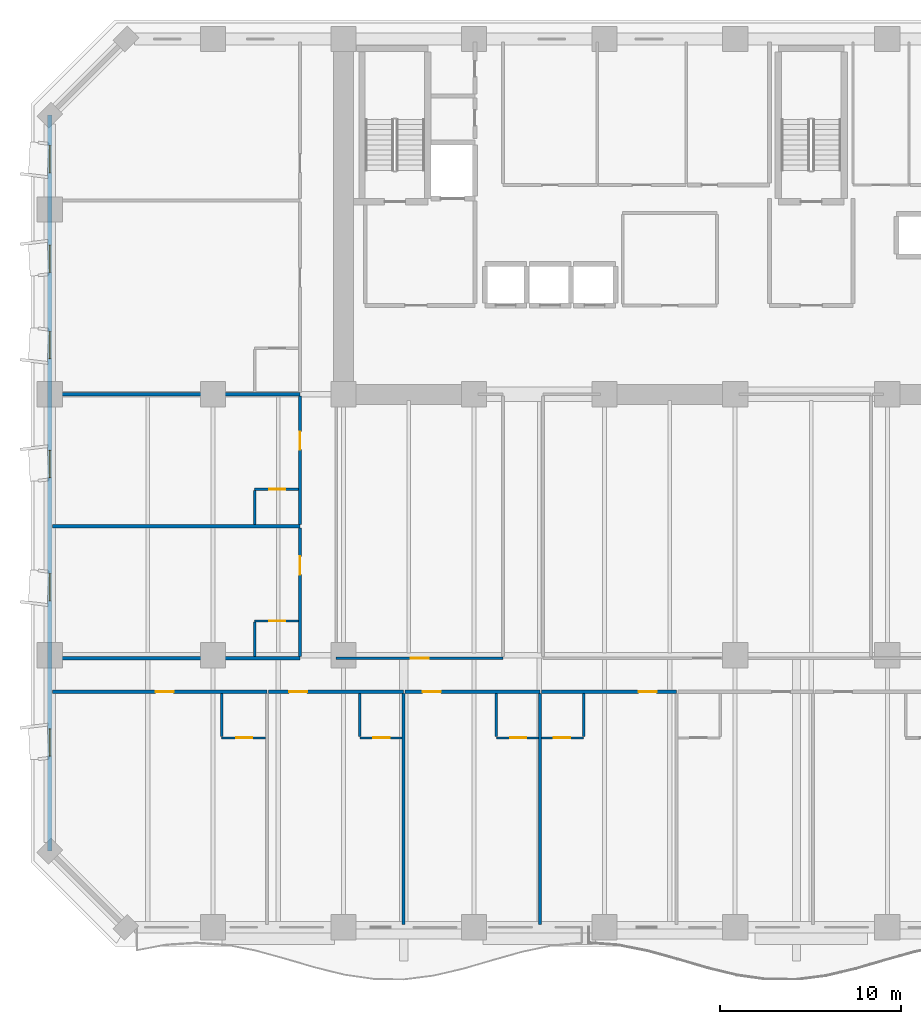
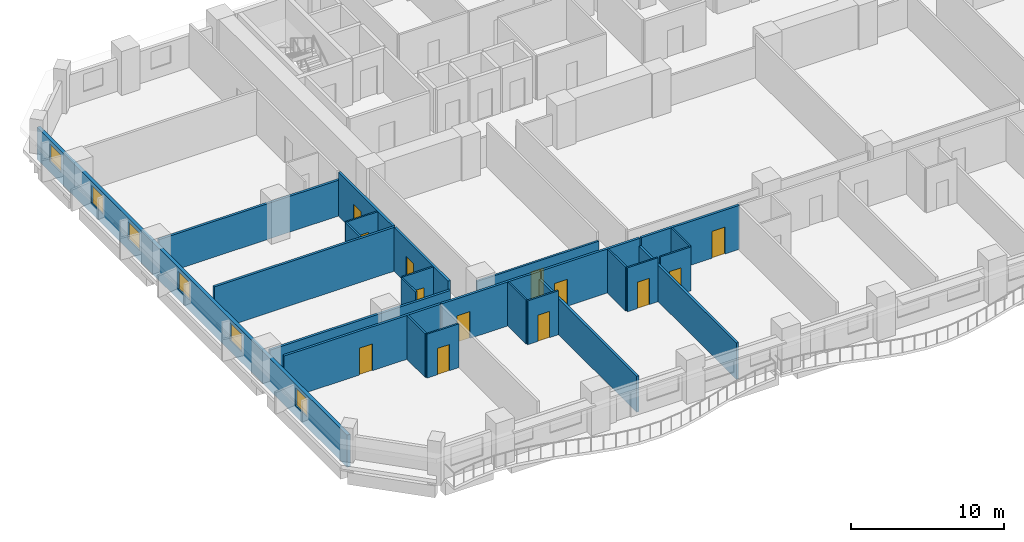
# One storey, part 4 of 15: 25 walls, 13 doors, 6 windows, 19 openings.
"""IFC4 building model written with IfcOpenShell, lengths in metres."""

from ifc_helpers import new_model, si_unit, direction, frame, frame_2d, origin, place, context, subcontext, project, spatial, rectangle, extrude, material, layer, layer_set, type_object, element, fill, save


model = new_model("IFC4")

# Units and contexts
model_context = context("Model", 3, precision=1e-05, world=origin(), true_north=direction((0.0, 1.0)))
body_context = subcontext(model_context, "Body", "Model", "MODEL_VIEW")
ifc_project = project(units=[si_unit("LENGTHUNIT", "METRE"), si_unit("AREAUNIT", "SQUARE_METRE"), si_unit("VOLUMEUNIT", "CUBIC_METRE"), si_unit("PLANEANGLEUNIT", "RADIAN"), si_unit("MASSUNIT", "GRAM", prefix="KILO")], contexts=[model_context])

# Site, building, storey
site_placement = place(None, origin())
site = spatial("IfcSite", under=ifc_project, at=site_placement, CompositionType="ELEMENT")
building_placement = place(site_placement, origin())
building = spatial("IfcBuilding", under=site, at=building_placement, Name="Kaelvorn Grand Hotel", CompositionType="ELEMENT")
storey_placement = place(building_placement, frame((0.0, 0.0, 61.39990234375)))
storey = spatial("IfcBuildingStorey", under=building, at=storey_placement, Name="L13", CompositionType="ELEMENT", Elevation=61.39990234375)

# Wall, openings, windows
ifc_material_1 = material(Name="Concrete C40/50", Category="concrete")
ifc_layer_1 = layer(ifc_material_1, 0.260009765625)
ifc_layer_set_1 = layer_set([ifc_layer_1], Name="Concrete C40/50")
wall_type_1 = type_object("IfcWallType", Name="WL-EXT-260-C40", PredefinedType="SOLIDWALL", material=ifc_layer_set_1)
wall_1_placement = place(storey_placement, frame((0.0, 44.800048828125, 0.0), z_axis=(0.0, 0.0, 1.0), x_axis=(0.0, -1.0, 0.0)))
wall_1 = element("IfcWall", 1, at=wall_1_placement, inside=storey, type_object=wall_type_1, Name="L13 Exterior Architectural Concrete Wall 07", PredefinedType="SOLIDWALL", context=body_context, shape_type="SweptSolid", body=[
    extrude(rectangle(XDim=40.60009765625, YDim=0.260009765625, at=frame_2d((20.300048828125, 0.0))), origin(), (0.0, 0.0, 1.0), 2.56005859375),
])
opening_1_placement = place(wall_1_placement, frame((33.85009765625, 0.0, 0.85009765625)))
opening_1 = element("IfcOpeningElement", 2, at=opening_1_placement, cuts=wall_1, Name="Opening W10", PredefinedType="OPENING", context=body_context, shape_type="SweptSolid", body=[
    extrude(rectangle(XDim=1.5, YDim=1.39990234375, at=frame_2d((0.75, 0.699951171875))), frame((0.0, 0.14013671875, 0.0), z_axis=(0.0, -1.0, 0.0), x_axis=(1.0, 0.0, 0.0)), (0.0, 0.0, 1.0), 0.280029296875),
])
opening_2_placement = place(wall_1_placement, frame((25.2900390625, 0.0, 0.85009765625)))
opening_2 = element("IfcOpeningElement", 3, at=opening_2_placement, cuts=wall_1, Name="Opening W10", PredefinedType="OPENING", context=body_context, shape_type="SweptSolid", body=[
    extrude(rectangle(XDim=1.5, YDim=1.39990234375, at=frame_2d((0.75, 0.699951171875))), frame((0.0, 0.14013671875, 0.0), z_axis=(0.0, -1.0, 0.0), x_axis=(1.0, 0.0, 0.0)), (0.0, 0.0, 1.0), 0.280029296875),
])
opening_3_placement = place(wall_1_placement, frame((18.489990234375, 0.0, 0.85009765625)))
opening_3 = element("IfcOpeningElement", 4, at=opening_3_placement, cuts=wall_1, Name="Opening W10", PredefinedType="OPENING", context=body_context, shape_type="SweptSolid", body=[
    extrude(rectangle(XDim=1.5, YDim=1.39990234375, at=frame_2d((0.75, 0.699951171875))), frame((0.0, 0.14013671875, 0.0), z_axis=(0.0, -1.0, 0.0), x_axis=(1.0, 0.0, 0.0)), (0.0, 0.0, 1.0), 0.280029296875),
])
opening_4_placement = place(wall_1_placement, frame((11.93505859375, 0.0, 0.85009765625)))
opening_4 = element("IfcOpeningElement", 5, at=opening_4_placement, cuts=wall_1, Name="Opening W10", PredefinedType="OPENING", context=body_context, shape_type="SweptSolid", body=[
    extrude(rectangle(XDim=1.5, YDim=1.39990234375, at=frame_2d((0.75, 0.699951171875))), frame((0.0, 0.14013671875, 0.0), z_axis=(0.0, -1.0, 0.0), x_axis=(1.0, 0.0, 0.0)), (0.0, 0.0, 1.0), 0.280029296875),
])
opening_5_placement = place(wall_1_placement, frame((7.1650390625, 0.0, 0.85009765625)))
opening_5 = element("IfcOpeningElement", 6, at=opening_5_placement, cuts=wall_1, Name="Opening W10", PredefinedType="OPENING", context=body_context, shape_type="SweptSolid", body=[
    extrude(rectangle(XDim=1.5, YDim=1.39990234375, at=frame_2d((0.75, 0.699951171875))), frame((0.0, 0.14013671875, 0.0), z_axis=(0.0, -1.0, 0.0), x_axis=(1.0, 0.0, 0.0)), (0.0, 0.0, 1.0), 0.280029296875),
])
opening_6_placement = place(wall_1_placement, frame((1.68505859375, 0.0, 0.85009765625)))
opening_6 = element("IfcOpeningElement", 7, at=opening_6_placement, cuts=wall_1, Name="Opening W10", PredefinedType="OPENING", context=body_context, shape_type="SweptSolid", body=[
    extrude(rectangle(XDim=1.5, YDim=1.39990234375, at=frame_2d((0.75, 0.699951171875))), frame((0.0, 0.14013671875, 0.0), z_axis=(0.0, -1.0, 0.0), x_axis=(1.0, 0.0, 0.0)), (0.0, 0.0, 1.0), 0.280029296875),
])
ifc_material_2 = material(Name="Laminated Low-E Glass", Category="glass")
window_type = type_object("IfcWindowType", Name="WIN-COR-1500x1400", PartitioningType="SINGLE_PANEL", PredefinedType="WINDOW", material=ifc_material_2)
window_1_placement = place(opening_1_placement, origin())
window_1 = element("IfcWindow", 8, at=window_1_placement, inside=storey, type_object=window_type, Name="L13 W Wing Tilted-Frame Ribbon Window W01", OverallHeight=1.39990234375, OverallWidth=1.5, PartitioningType="SINGLE_PANEL", PredefinedType="WINDOW", context=body_context, shape_type="SweptSolid", body=[
    extrude(rectangle(XDim=1.5, YDim=1.39990234375, at=frame_2d((0.75, 0.699951171875))), frame((0.0, 0.030029296875, 0.0), z_axis=(0.0, -1.0, 0.0), x_axis=(1.0, 0.0, 0.0)), (0.0, 0.0, 1.0), 0.06005859375),
])
fill(opening_1, window_1)
window_2_placement = place(opening_2_placement, origin())
window_2 = element("IfcWindow", 9, at=window_2_placement, inside=storey, type_object=window_type, Name="L13 W Wing Tilted-Frame Ribbon Window W02", OverallHeight=1.39990234375, OverallWidth=1.5, PartitioningType="SINGLE_PANEL", PredefinedType="WINDOW", context=body_context, shape_type="SweptSolid", body=[
    extrude(rectangle(XDim=1.5, YDim=1.39990234375, at=frame_2d((0.75, 0.699951171875))), frame((0.0, 0.030029296875, 0.0), z_axis=(0.0, -1.0, 0.0), x_axis=(1.0, 0.0, 0.0)), (0.0, 0.0, 1.0), 0.06005859375),
])
fill(opening_2, window_2)
window_3_placement = place(opening_3_placement, origin())
window_3 = element("IfcWindow", 10, at=window_3_placement, inside=storey, type_object=window_type, Name="L13 W Wing Tilted-Frame Ribbon Window W03", OverallHeight=1.39990234375, OverallWidth=1.5, PartitioningType="SINGLE_PANEL", PredefinedType="WINDOW", context=body_context, shape_type="SweptSolid", body=[
    extrude(rectangle(XDim=1.5, YDim=1.39990234375, at=frame_2d((0.75, 0.699951171875))), frame((0.0, 0.030029296875, 0.0), z_axis=(0.0, -1.0, 0.0), x_axis=(1.0, 0.0, 0.0)), (0.0, 0.0, 1.0), 0.06005859375),
])
fill(opening_3, window_3)
window_4_placement = place(opening_4_placement, origin())
window_4 = element("IfcWindow", 11, at=window_4_placement, inside=storey, type_object=window_type, Name="L13 W Wing Tilted-Frame Ribbon Window W04", OverallHeight=1.39990234375, OverallWidth=1.5, PartitioningType="SINGLE_PANEL", PredefinedType="WINDOW", context=body_context, shape_type="SweptSolid", body=[
    extrude(rectangle(XDim=1.5, YDim=1.39990234375, at=frame_2d((0.75, 0.699951171875))), frame((0.0, 0.030029296875, 0.0), z_axis=(0.0, -1.0, 0.0), x_axis=(1.0, 0.0, 0.0)), (0.0, 0.0, 1.0), 0.06005859375),
])
fill(opening_4, window_4)
window_5_placement = place(opening_5_placement, origin())
window_5 = element("IfcWindow", 12, at=window_5_placement, inside=storey, type_object=window_type, Name="L13 W Wing Tilted-Frame Ribbon Window W05", OverallHeight=1.39990234375, OverallWidth=1.5, PartitioningType="SINGLE_PANEL", PredefinedType="WINDOW", context=body_context, shape_type="SweptSolid", body=[
    extrude(rectangle(XDim=1.5, YDim=1.39990234375, at=frame_2d((0.75, 0.699951171875))), frame((0.0, 0.030029296875, 0.0), z_axis=(0.0, -1.0, 0.0), x_axis=(1.0, 0.0, 0.0)), (0.0, 0.0, 1.0), 0.06005859375),
])
fill(opening_5, window_5)
window_6_placement = place(opening_6_placement, origin())
window_6 = element("IfcWindow", 13, at=window_6_placement, inside=storey, type_object=window_type, Name="L13 W Wing Tilted-Frame Ribbon Window W06", OverallHeight=1.39990234375, OverallWidth=1.5, PartitioningType="SINGLE_PANEL", PredefinedType="WINDOW", context=body_context, shape_type="SweptSolid", body=[
    extrude(rectangle(XDim=1.5, YDim=1.39990234375, at=frame_2d((0.75, 0.699951171875))), frame((0.0, 0.030029296875, 0.0), z_axis=(0.0, -1.0, 0.0), x_axis=(1.0, 0.0, 0.0)), (0.0, 0.0, 1.0), 0.06005859375),
])
fill(opening_6, window_6)

# Wall, opening, door
ifc_material_3 = material(Name="Moisture-Resistant Tile & Stud Board")
ifc_layer_2 = layer(ifc_material_3, 0.125)
ifc_layer_set_2 = layer_set([ifc_layer_2], Name="Moisture-Resistant Tile & Stud Board")
wall_type_2 = type_object("IfcWallType", Name="WL-PART-125-WET", PredefinedType="PARTITIONING", material=ifc_layer_set_2)
wall_2_placement = place(storey_placement, frame((9.47998046875, 10.449951171875, 0.0), z_axis=(0.0, 0.0, 1.0), x_axis=(1.0, 0.0, 0.0)))
wall_2 = element("IfcWall", 14, at=wall_2_placement, inside=storey, type_object=wall_type_2, Name="L13 En-suite Bathroom L13-01 S Partition", PredefinedType="PARTITIONING", context=body_context, shape_type="SweptSolid", body=[
    extrude(rectangle(XDim=2.405029296875, YDim=0.125, at=frame_2d((1.20263671875, 0.0))), origin(), (0.0, 0.0, 1.0), 3.510009765625),
])
opening_7_placement = place(wall_2_placement, frame((0.800048828125, 0.0, 0.0)))
opening_7 = element("IfcOpeningElement", 15, at=opening_7_placement, cuts=wall_2, Name="Opening DI4", PredefinedType="OPENING", context=body_context, shape_type="SweptSolid", body=[
    extrude(rectangle(XDim=0.89990234375, YDim=2.10009765625, at=frame_2d((0.449951171875, 1.050048828125))), frame((0.0, 0.072509765625, 0.0), z_axis=(0.0, -1.0, 0.0), x_axis=(1.0, 0.0, 0.0)), (0.0, 0.0, 1.0), 0.14501953125),
])
ifc_material_4 = material(Name="Timber Veneer Leaf", Category="wood")
door_type_1 = type_object("IfcDoorType", Name="DR-INT-BATH-900x2100", OperationType="NOTDEFINED", PredefinedType="DOOR", material=ifc_material_4)
door_1_placement = place(opening_7_placement, origin())
door_1 = element("IfcDoor", 16, at=door_1_placement, inside=storey, type_object=door_type_1, Name="L13 En-suite Bathroom L13-01 Door", OperationType="SINGLE_SWING_LEFT", OverallHeight=2.10009765625, OverallWidth=0.89990234375, PredefinedType="DOOR", context=body_context, shape_type="SweptSolid", body=[
    extrude(rectangle(XDim=0.89990234375, YDim=2.10009765625, at=frame_2d((0.449951171875, 1.050048828125))), frame((0.0, 0.02490234375, 0.0), z_axis=(0.0, -1.0, 0.0), x_axis=(1.0, 0.0, 0.0)), (0.0, 0.0, 1.0), 0.050048828125),
])
fill(opening_7, door_1)

# Wall
wall_3_placement = place(storey_placement, frame((9.47998046875, 10.517578125, 0.0), z_axis=(0.0, 0.0, 1.0), x_axis=(0.0, 1.0, 0.0)))
element("IfcWall", 17, at=wall_3_placement, inside=storey, type_object=wall_type_2, Name="L13 En-suite Bathroom L13-01 W Partition", PredefinedType="PARTITIONING", context=body_context, shape_type="SweptSolid", body=[
    extrude(rectangle(XDim=2.387451171875, YDim=0.125, at=frame_2d((1.19384765625, 0.0))), origin(), (0.0, 0.0, 1.0), 3.510009765625),
])

# Wall, opening, door
wall_4_placement = place(storey_placement, frame((17.10009765625, 10.449951171875, 0.0), z_axis=(0.0, 0.0, 1.0), x_axis=(1.0, 0.0, 0.0)))
wall_4 = element("IfcWall", 18, at=wall_4_placement, inside=storey, type_object=wall_type_2, Name="L13 En-suite Bathroom L13-02 S Partition", PredefinedType="PARTITIONING", context=body_context, shape_type="SweptSolid", body=[
    extrude(rectangle(XDim=2.315185546875, YDim=0.125, at=frame_2d((1.15771484375, 0.0))), origin(), (0.0, 0.0, 1.0), 3.510009765625),
])
opening_8_placement = place(wall_4_placement, frame((0.7548828125, 0.0, 0.0)))
opening_8 = element("IfcOpeningElement", 19, at=opening_8_placement, cuts=wall_4, Name="Opening DI4", PredefinedType="OPENING", context=body_context, shape_type="SweptSolid", body=[
    extrude(rectangle(XDim=0.89990234375, YDim=2.10009765625, at=frame_2d((0.449951171875, 1.050048828125))), frame((0.0, 0.072509765625, 0.0), z_axis=(0.0, -1.0, 0.0), x_axis=(1.0, 0.0, 0.0)), (0.0, 0.0, 1.0), 0.14501953125),
])
door_2_placement = place(opening_8_placement, origin())
door_2 = element("IfcDoor", 20, at=door_2_placement, inside=storey, type_object=door_type_1, Name="L13 En-suite Bathroom L13-02 Door", OperationType="SINGLE_SWING_LEFT", OverallHeight=2.10009765625, OverallWidth=0.89990234375, PredefinedType="DOOR", context=body_context, shape_type="SweptSolid", body=[
    extrude(rectangle(XDim=0.89990234375, YDim=2.10009765625, at=frame_2d((0.449951171875, 1.050048828125))), frame((0.0, 0.02490234375, 0.0), z_axis=(0.0, -1.0, 0.0), x_axis=(1.0, 0.0, 0.0)), (0.0, 0.0, 1.0), 0.050048828125),
])
fill(opening_8, door_2)

# Wall
wall_5_placement = place(storey_placement, frame((17.10009765625, 10.517578125, 0.0), z_axis=(0.0, 0.0, 1.0), x_axis=(0.0, 1.0, 0.0)))
element("IfcWall", 21, at=wall_5_placement, inside=storey, type_object=wall_type_2, Name="L13 En-suite Bathroom L13-02 W Partition", PredefinedType="PARTITIONING", context=body_context, shape_type="SweptSolid", body=[
    extrude(rectangle(XDim=2.387451171875, YDim=0.125, at=frame_2d((1.19384765625, 0.0))), origin(), (0.0, 0.0, 1.0), 3.510009765625),
])

# Wall, opening, door
wall_6_placement = place(storey_placement, frame((24.630126953125, 10.449951171875, 0.0), z_axis=(0.0, 0.0, 1.0), x_axis=(1.0, 0.0, 0.0)))
wall_6 = element("IfcWall", 22, at=wall_6_placement, inside=storey, type_object=wall_type_2, Name="L13 En-suite Bathroom L13-03 S Partition", PredefinedType="PARTITIONING", context=body_context, shape_type="SweptSolid", body=[
    extrude(rectangle(XDim=2.315185546875, YDim=0.125, at=frame_2d((1.15771484375, 0.0))), origin(), (0.0, 0.0, 1.0), 3.510009765625),
])
opening_9_placement = place(wall_6_placement, frame((0.7548828125, 0.0, 0.0)))
opening_9 = element("IfcOpeningElement", 23, at=opening_9_placement, cuts=wall_6, Name="Opening DI4", PredefinedType="OPENING", context=body_context, shape_type="SweptSolid", body=[
    extrude(rectangle(XDim=0.89990234375, YDim=2.10009765625, at=frame_2d((0.449951171875, 1.050048828125))), frame((0.0, 0.072509765625, 0.0), z_axis=(0.0, -1.0, 0.0), x_axis=(1.0, 0.0, 0.0)), (0.0, 0.0, 1.0), 0.14501953125),
])
door_3_placement = place(opening_9_placement, origin())
door_3 = element("IfcDoor", 24, at=door_3_placement, inside=storey, type_object=door_type_1, Name="L13 En-suite Bathroom L13-03 Door", OperationType="SINGLE_SWING_LEFT", OverallHeight=2.10009765625, OverallWidth=0.89990234375, PredefinedType="DOOR", context=body_context, shape_type="SweptSolid", body=[
    extrude(rectangle(XDim=0.89990234375, YDim=2.10009765625, at=frame_2d((0.449951171875, 1.050048828125))), frame((0.0, 0.02490234375, 0.0), z_axis=(0.0, -1.0, 0.0), x_axis=(1.0, 0.0, 0.0)), (0.0, 0.0, 1.0), 0.050048828125),
])
fill(opening_9, door_3)

# Wall
wall_7_placement = place(storey_placement, frame((24.630126953125, 10.517578125, 0.0), z_axis=(0.0, 0.0, 1.0), x_axis=(0.0, 1.0, 0.0)))
element("IfcWall", 25, at=wall_7_placement, inside=storey, type_object=wall_type_2, Name="L13 En-suite Bathroom L13-03 W Partition", PredefinedType="PARTITIONING", context=body_context, shape_type="SweptSolid", body=[
    extrude(rectangle(XDim=2.387451171875, YDim=0.125, at=frame_2d((1.19384765625, 0.0))), origin(), (0.0, 0.0, 1.0), 3.510009765625),
])

# Wall, opening, door
wall_8_placement = place(storey_placement, frame((27.13525390625, 10.449951171875, 0.0), z_axis=(0.0, 0.0, 1.0), x_axis=(1.0, 0.0, 0.0)))
wall_8 = element("IfcWall", 26, at=wall_8_placement, inside=storey, type_object=wall_type_2, Name="L13 En-suite Bathroom L13-04 S Partition", PredefinedType="PARTITIONING", context=body_context, shape_type="SweptSolid", body=[
    extrude(rectangle(XDim=2.31494140625, YDim=0.125, at=frame_2d((1.157470703125, 0.0))), origin(), (0.0, 0.0, 1.0), 3.510009765625),
])
opening_10_placement = place(wall_8_placement, frame((0.659912109375, 0.0, 0.0)))
opening_10 = element("IfcOpeningElement", 27, at=opening_10_placement, cuts=wall_8, Name="Opening DI4", PredefinedType="OPENING", context=body_context, shape_type="SweptSolid", body=[
    extrude(rectangle(XDim=0.89990234375, YDim=2.10009765625, at=frame_2d((0.449951171875, 1.050048828125))), frame((0.0, 0.072509765625, 0.0), z_axis=(0.0, -1.0, 0.0), x_axis=(1.0, 0.0, 0.0)), (0.0, 0.0, 1.0), 0.14501953125),
])
door_4_placement = place(opening_10_placement, origin())
door_4 = element("IfcDoor", 28, at=door_4_placement, inside=storey, type_object=door_type_1, Name="L13 En-suite Bathroom L13-04 Door", OperationType="SINGLE_SWING_LEFT", OverallHeight=2.10009765625, OverallWidth=0.89990234375, PredefinedType="DOOR", context=body_context, shape_type="SweptSolid", body=[
    extrude(rectangle(XDim=0.89990234375, YDim=2.10009765625, at=frame_2d((0.449951171875, 1.050048828125))), frame((0.0, 0.02490234375, 0.0), z_axis=(0.0, -1.0, 0.0), x_axis=(1.0, 0.0, 0.0)), (0.0, 0.0, 1.0), 0.050048828125),
])
fill(opening_10, door_4)

# Wall
wall_9_placement = place(storey_placement, frame((29.4501953125, 10.517578125, 0.0), z_axis=(0.0, 0.0, 1.0), x_axis=(0.0, 1.0, 0.0)))
element("IfcWall", 29, at=wall_9_placement, inside=storey, type_object=wall_type_2, Name="L13 En-suite Bathroom L13-04 E Partition", PredefinedType="PARTITIONING", context=body_context, shape_type="SweptSolid", body=[
    extrude(rectangle(XDim=2.387451171875, YDim=0.125, at=frame_2d((1.19384765625, 0.0))), origin(), (0.0, 0.0, 1.0), 3.510009765625),
])

# Wall, opening, door
wall_10_placement = place(storey_placement, frame((11.300048828125, 16.89990234375, 0.0), z_axis=(0.0, 0.0, 1.0), x_axis=(1.0, 0.0, 0.0)))
wall_10 = element("IfcWall", 30, at=wall_10_placement, inside=storey, type_object=wall_type_2, Name="L13 En-suite Bathroom L13-11 N Partition", PredefinedType="PARTITIONING", context=body_context, shape_type="SweptSolid", body=[
    extrude(rectangle(XDim=2.405029296875, YDim=0.125, at=frame_2d((1.20263671875, 0.0))), origin(), (0.0, 0.0, 1.0), 3.510009765625),
])
opening_11_placement = place(wall_10_placement, frame((0.800048828125, 0.0, 0.0)))
opening_11 = element("IfcOpeningElement", 31, at=opening_11_placement, cuts=wall_10, Name="Opening DI4", PredefinedType="OPENING", context=body_context, shape_type="SweptSolid", body=[
    extrude(rectangle(XDim=0.89990234375, YDim=2.10009765625, at=frame_2d((0.449951171875, 1.050048828125))), frame((0.0, 0.072509765625, 0.0), z_axis=(0.0, -1.0, 0.0), x_axis=(1.0, 0.0, 0.0)), (0.0, 0.0, 1.0), 0.14501953125),
])
door_5_placement = place(opening_11_placement, origin())
door_5 = element("IfcDoor", 32, at=door_5_placement, inside=storey, type_object=door_type_1, Name="L13 En-suite Bathroom L13-11 Door", OperationType="SINGLE_SWING_RIGHT", OverallHeight=2.10009765625, OverallWidth=0.89990234375, PredefinedType="DOOR", context=body_context, shape_type="SweptSolid", body=[
    extrude(rectangle(XDim=0.89990234375, YDim=2.10009765625, at=frame_2d((0.449951171875, 1.050048828125))), frame((0.0, 0.02490234375, 0.0), z_axis=(0.0, -1.0, 0.0), x_axis=(1.0, 0.0, 0.0)), (0.0, 0.0, 1.0), 0.050048828125),
])
fill(opening_11, door_5)

# Wall
wall_11_placement = place(storey_placement, frame((11.300048828125, 14.945068359375, 0.0), z_axis=(0.0, 0.0, 1.0), x_axis=(0.0, 1.0, 0.0)))
element("IfcWall", 33, at=wall_11_placement, inside=storey, type_object=wall_type_2, Name="L13 En-suite Bathroom L13-11 W Partition", PredefinedType="PARTITIONING", context=body_context, shape_type="SweptSolid", body=[
    extrude(rectangle(XDim=1.887451171875, YDim=0.125, at=frame_2d((0.94384765625, 0.0))), origin(), (0.0, 0.0, 1.0), 3.510009765625),
])

# Wall, opening, door
wall_12_placement = place(storey_placement, frame((11.300048828125, 24.169921875, 0.0), z_axis=(0.0, 0.0, 1.0), x_axis=(1.0, 0.0, 0.0)))
wall_12 = element("IfcWall", 34, at=wall_12_placement, inside=storey, type_object=wall_type_2, Name="L13 En-suite Bathroom L13-12 N Partition", PredefinedType="PARTITIONING", context=body_context, shape_type="SweptSolid", body=[
    extrude(rectangle(XDim=2.405029296875, YDim=0.125, at=frame_2d((1.20263671875, 0.0))), origin(), (0.0, 0.0, 1.0), 3.510009765625),
])
opening_12_placement = place(wall_12_placement, frame((0.800048828125, 0.0, 0.0)))
opening_12 = element("IfcOpeningElement", 35, at=opening_12_placement, cuts=wall_12, Name="Opening DI4", PredefinedType="OPENING", context=body_context, shape_type="SweptSolid", body=[
    extrude(rectangle(XDim=0.89990234375, YDim=2.10009765625, at=frame_2d((0.449951171875, 1.050048828125))), frame((0.0, 0.072509765625, 0.0), z_axis=(0.0, -1.0, 0.0), x_axis=(1.0, 0.0, 0.0)), (0.0, 0.0, 1.0), 0.14501953125),
])
door_6_placement = place(opening_12_placement, origin())
door_6 = element("IfcDoor", 36, at=door_6_placement, inside=storey, type_object=door_type_1, Name="L13 En-suite Bathroom L13-12 Door", OperationType="SINGLE_SWING_RIGHT", OverallHeight=2.10009765625, OverallWidth=0.89990234375, PredefinedType="DOOR", context=body_context, shape_type="SweptSolid", body=[
    extrude(rectangle(XDim=0.89990234375, YDim=2.10009765625, at=frame_2d((0.449951171875, 1.050048828125))), frame((0.0, 0.02490234375, 0.0), z_axis=(0.0, -1.0, 0.0), x_axis=(1.0, 0.0, 0.0)), (0.0, 0.0, 1.0), 0.050048828125),
])
fill(opening_12, door_6)

# Wall
wall_13_placement = place(storey_placement, frame((11.300048828125, 22.215087890625, 0.0), z_axis=(0.0, 0.0, 1.0), x_axis=(0.0, 1.0, 0.0)))
element("IfcWall", 37, at=wall_13_placement, inside=storey, type_object=wall_type_2, Name="L13 En-suite Bathroom L13-12 W Partition", PredefinedType="PARTITIONING", context=body_context, shape_type="SweptSolid", body=[
    extrude(rectangle(XDim=1.887451171875, YDim=0.125, at=frame_2d((0.94384765625, 0.0))), origin(), (0.0, 0.0, 1.0), 3.510009765625),
])

# Wall, opening, door
ifc_material_5 = material(Name="Acoustic Gypsum & Stud Partition")
ifc_layer_3 = layer(ifc_material_5, 0.14990234375)
ifc_layer_set_3 = layer_set([ifc_layer_3], Name="Acoustic Gypsum & Stud Partition")
wall_type_3 = type_object("IfcWallType", Name="WL-PART-150-EI60", PredefinedType="PARTITIONING", material=ifc_layer_set_3)
wall_14_placement = place(storey_placement, frame((15.800048828125, 14.85009765625, 0.0), z_axis=(0.0, 0.0, 1.0), x_axis=(1.0, 0.0, 0.0)))
wall_14 = element("IfcWall", 38, at=wall_14_placement, inside=storey, type_object=wall_type_3, Name="L13 Wellness Spa Salon S Partition", PredefinedType="PARTITIONING", context=body_context, shape_type="SweptSolid", body=[
    extrude(rectangle(XDim=9.199951171875, YDim=0.14990234375, at=frame_2d((4.60009765625, 0.0))), origin(), (0.0, 0.0, 1.0), 2.860107421875),
])
opening_13_placement = place(wall_14_placement, frame((4.10009765625, 0.0, 0.0)))
opening_13 = element("IfcOpeningElement", 39, at=opening_13_placement, cuts=wall_14, Name="Opening DI3", PredefinedType="OPENING", context=body_context, shape_type="SweptSolid", body=[
    extrude(rectangle(XDim=1.0, YDim=2.14990234375, at=frame_2d((0.5, 1.074951171875))), frame((0.0, 0.0849609375, 0.0), z_axis=(0.0, -1.0, 0.0), x_axis=(1.0, 0.0, 0.0)), (0.0, 0.0, 1.0), 0.169921875),
])
ifc_material_6 = material(Name="Timber Veneer Fire Leaf", Category="wood")
door_type_2 = type_object("IfcDoorType", Name="DR-INT-GUEST-1000x2150", OperationType="NOTDEFINED", PredefinedType="DOOR", material=ifc_material_6)
door_7_placement = place(opening_13_placement, origin())
door_7 = element("IfcDoor", 40, at=door_7_placement, inside=storey, type_object=door_type_2, Name="L13 Wellness Spa Salon Door", OperationType="SINGLE_SWING_RIGHT", OverallHeight=2.14990234375, OverallWidth=1.0, PredefinedType="DOOR", context=body_context, shape_type="SweptSolid", body=[
    extrude(rectangle(XDim=1.0, YDim=2.14990234375, at=frame_2d((0.5, 1.074951171875))), frame((0.0, 0.02490234375, 0.0), z_axis=(0.0, -1.0, 0.0), x_axis=(1.0, 0.0, 0.0)), (0.0, 0.0, 1.0), 0.050048828125),
])
fill(opening_13, door_7)

ifc_layer_4 = layer(ifc_material_5, 0.179931640625)
ifc_layer_set_4 = layer_set([ifc_layer_4], Name="Acoustic Gypsum & Stud Partition")
wall_type_4 = type_object("IfcWallType", Name="WL-PART-180-EI60", PredefinedType="PARTITIONING", material=ifc_layer_set_4)
wall_15_placement = place(storey_placement, frame((0.14990234375, 13.0, 0.0), z_axis=(0.0, 0.0, 1.0), x_axis=(1.0, 0.0, 0.0)))
wall_15 = element("IfcWall", 41, at=wall_15_placement, inside=storey, type_object=wall_type_4, Name="L13 Deluxe Panoramic Suite L13-01 N Partition", PredefinedType="PARTITIONING", context=body_context, shape_type="SweptSolid", body=[
    extrude(rectangle(XDim=11.830078125, YDim=0.179931640625, at=frame_2d((5.9150390625, 0.0))), origin(), (0.0, 0.0, 1.0), 3.510009765625),
])
opening_14_placement = place(wall_15_placement, frame((5.68505859375, 0.0, 0.0)))
opening_14 = element("IfcOpeningElement", 42, at=opening_14_placement, cuts=wall_15, Name="Opening DI3", PredefinedType="OPENING", context=body_context, shape_type="SweptSolid", body=[
    extrude(rectangle(XDim=1.0, YDim=2.14990234375, at=frame_2d((0.5, 1.074951171875))), frame((0.0, 0.10009765625, 0.0), z_axis=(0.0, -1.0, 0.0), x_axis=(1.0, 0.0, 0.0)), (0.0, 0.0, 1.0), 0.199951171875),
])
door_8_placement = place(opening_14_placement, origin())
door_8 = element("IfcDoor", 43, at=door_8_placement, inside=storey, type_object=door_type_2, Name="L13 Deluxe Panoramic Suite L13-01 Door", OperationType="SINGLE_SWING_RIGHT", OverallHeight=2.14990234375, OverallWidth=1.0, PredefinedType="DOOR", context=body_context, shape_type="SweptSolid", body=[
    extrude(rectangle(XDim=1.0, YDim=2.14990234375, at=frame_2d((0.5, 1.074951171875))), frame((0.0, 0.02490234375, 0.0), z_axis=(0.0, -1.0, 0.0), x_axis=(1.0, 0.0, 0.0)), (0.0, 0.0, 1.0), 0.050048828125),
])
fill(opening_14, door_8)

wall_16_placement = place(storey_placement, frame((12.0751953125, 13.0, 0.0), z_axis=(0.0, 0.0, 1.0), x_axis=(1.0, 0.0, 0.0)))
wall_16 = element("IfcWall", 44, at=wall_16_placement, inside=storey, type_object=wall_type_4, Name="L13 Deluxe Panoramic Suite L13-02 N Partition", PredefinedType="PARTITIONING", context=body_context, shape_type="SweptSolid", body=[
    extrude(rectangle(XDim=7.43505859375, YDim=0.179931640625, at=frame_2d((3.717529296875, 0.0))), origin(), (0.0, 0.0, 1.0), 3.510009765625),
])
opening_15_placement = place(wall_16_placement, frame((1.125, 0.0, 0.0)))
opening_15 = element("IfcOpeningElement", 45, at=opening_15_placement, cuts=wall_16, Name="Opening DI3", PredefinedType="OPENING", context=body_context, shape_type="SweptSolid", body=[
    extrude(rectangle(XDim=1.0, YDim=2.14990234375, at=frame_2d((0.5, 1.074951171875))), frame((0.0, 0.10009765625, 0.0), z_axis=(0.0, -1.0, 0.0), x_axis=(1.0, 0.0, 0.0)), (0.0, 0.0, 1.0), 0.199951171875),
])
door_9_placement = place(opening_15_placement, origin())
door_9 = element("IfcDoor", 46, at=door_9_placement, inside=storey, type_object=door_type_2, Name="L13 Deluxe Panoramic Suite L13-02 Door", OperationType="SINGLE_SWING_RIGHT", OverallHeight=2.14990234375, OverallWidth=1.0, PredefinedType="DOOR", context=body_context, shape_type="SweptSolid", body=[
    extrude(rectangle(XDim=1.0, YDim=2.14990234375, at=frame_2d((0.5, 1.074951171875))), frame((0.0, 0.02490234375, 0.0), z_axis=(0.0, -1.0, 0.0), x_axis=(1.0, 0.0, 0.0)), (0.0, 0.0, 1.0), 0.050048828125),
])
fill(opening_15, door_9)

# Wall
wall_17_placement = place(storey_placement, frame((19.51025390625, 0.14990234375, 0.0), z_axis=(0.0, 0.0, 1.0), x_axis=(0.0, 1.0, 0.0)))
element("IfcWall", 47, at=wall_17_placement, inside=storey, type_object=wall_type_4, Name="L13 Deluxe Panoramic Suite L13-02 E Partition", PredefinedType="PARTITIONING", context=body_context, shape_type="SweptSolid", body=[
    extrude(rectangle(XDim=12.755126953125, YDim=0.179931640625, at=frame_2d((6.37744140625, 0.0))), origin(), (0.0, 0.0, 1.0), 2.880126953125),
])

# Wall, opening, door
wall_18_placement = place(storey_placement, frame((19.605224609375, 13.0, 0.0), z_axis=(0.0, 0.0, 1.0), x_axis=(1.0, 0.0, 0.0)))
wall_18 = element("IfcWall", 48, at=wall_18_placement, inside=storey, type_object=wall_type_4, Name="L13 Deluxe Panoramic Suite L13-03 N Partition", PredefinedType="PARTITIONING", context=body_context, shape_type="SweptSolid", body=[
    extrude(rectangle(XDim=7.43505859375, YDim=0.179931640625, at=frame_2d((3.717529296875, 0.0))), origin(), (0.0, 0.0, 1.0), 3.510009765625),
])
opening_16_placement = place(wall_18_placement, frame((0.9599609375, 0.0, 0.0)))
opening_16 = element("IfcOpeningElement", 49, at=opening_16_placement, cuts=wall_18, Name="Opening DI3", PredefinedType="OPENING", context=body_context, shape_type="SweptSolid", body=[
    extrude(rectangle(XDim=1.0, YDim=2.14990234375, at=frame_2d((0.5, 1.074951171875))), frame((0.0, 0.10009765625, 0.0), z_axis=(0.0, -1.0, 0.0), x_axis=(1.0, 0.0, 0.0)), (0.0, 0.0, 1.0), 0.199951171875),
])
door_10_placement = place(opening_16_placement, origin())
door_10 = element("IfcDoor", 50, at=door_10_placement, inside=storey, type_object=door_type_2, Name="L13 Deluxe Panoramic Suite L13-03 Door", OperationType="SINGLE_SWING_RIGHT", OverallHeight=2.14990234375, OverallWidth=1.0, PredefinedType="DOOR", context=body_context, shape_type="SweptSolid", body=[
    extrude(rectangle(XDim=1.0, YDim=2.14990234375, at=frame_2d((0.5, 1.074951171875))), frame((0.0, 0.02490234375, 0.0), z_axis=(0.0, -1.0, 0.0), x_axis=(1.0, 0.0, 0.0)), (0.0, 0.0, 1.0), 0.050048828125),
])
fill(opening_16, door_10)

# Wall
wall_19_placement = place(storey_placement, frame((27.040283203125, 0.14990234375, 0.0), z_axis=(0.0, 0.0, 1.0), x_axis=(0.0, 1.0, 0.0)))
element("IfcWall", 51, at=wall_19_placement, inside=storey, type_object=wall_type_4, Name="L13 Deluxe Panoramic Suite L13-03 E Partition", PredefinedType="PARTITIONING", context=body_context, shape_type="SweptSolid", body=[
    extrude(rectangle(XDim=12.755126953125, YDim=0.179931640625, at=frame_2d((6.37744140625, 0.0))), origin(), (0.0, 0.0, 1.0), 2.89794921875),
])

# Wall, opening, door
wall_20_placement = place(storey_placement, frame((27.13525390625, 13.0, 0.0), z_axis=(0.0, 0.0, 1.0), x_axis=(1.0, 0.0, 0.0)))
wall_20 = element("IfcWall", 52, at=wall_20_placement, inside=storey, type_object=wall_type_4, Name="L13 Deluxe Panoramic Suite L13-04 N Partition", PredefinedType="PARTITIONING", context=body_context, shape_type="SweptSolid", body=[
    extrude(rectangle(XDim=7.43505859375, YDim=0.179931640625, at=frame_2d((3.717529296875, 0.0))), origin(), (0.0, 0.0, 1.0), 3.510009765625),
])
opening_17_placement = place(wall_20_placement, frame((5.33984375, 0.0, 0.0)))
opening_17 = element("IfcOpeningElement", 53, at=opening_17_placement, cuts=wall_20, Name="Opening DI3", PredefinedType="OPENING", context=body_context, shape_type="SweptSolid", body=[
    extrude(rectangle(XDim=1.0, YDim=2.14990234375, at=frame_2d((0.5, 1.074951171875))), frame((0.0, 0.10009765625, 0.0), z_axis=(0.0, -1.0, 0.0), x_axis=(1.0, 0.0, 0.0)), (0.0, 0.0, 1.0), 0.199951171875),
])
door_11_placement = place(opening_17_placement, origin())
door_11 = element("IfcDoor", 54, at=door_11_placement, inside=storey, type_object=door_type_2, Name="L13 Deluxe Panoramic Suite L13-04 Door", OperationType="SINGLE_SWING_RIGHT", OverallHeight=2.14990234375, OverallWidth=1.0, PredefinedType="DOOR", context=body_context, shape_type="SweptSolid", body=[
    extrude(rectangle(XDim=1.0, YDim=2.14990234375, at=frame_2d((0.5, 1.074951171875))), frame((0.0, 0.02490234375, 0.0), z_axis=(0.0, -1.0, 0.0), x_axis=(1.0, 0.0, 0.0)), (0.0, 0.0, 1.0), 0.050048828125),
])
fill(opening_17, door_11)

# Walls
wall_21_placement = place(storey_placement, frame((0.14990234375, 14.85009765625, 0.0), z_axis=(0.0, 0.0, 1.0), x_axis=(1.0, 0.0, 0.0)))
element("IfcWall", 55, at=wall_21_placement, inside=storey, type_object=wall_type_4, Name="L13 West Wing Panoramic Suite L13-11 S Partition", PredefinedType="PARTITIONING", context=body_context, shape_type="SweptSolid", body=[
    extrude(rectangle(XDim=13.650146484375, YDim=0.179931640625, at=frame_2d((6.8251953125, 0.0))), origin(), (0.0, 0.0, 1.0), 2.860107421875),
])
wall_22_placement = place(storey_placement, frame((0.14990234375, 22.1201171875, 0.0), z_axis=(0.0, 0.0, 1.0), x_axis=(1.0, 0.0, 0.0)))
element("IfcWall", 56, at=wall_22_placement, inside=storey, type_object=wall_type_4, Name="L13 West Wing Panoramic Suite L13-11 N Partition", PredefinedType="PARTITIONING", context=body_context, shape_type="SweptSolid", body=[
    extrude(rectangle(XDim=13.650146484375, YDim=0.179931640625, at=frame_2d((6.8251953125, 0.0))), origin(), (0.0, 0.0, 1.0), 3.510009765625),
])

# Wall, opening, door
wall_23_placement = place(storey_placement, frame((13.800048828125, 14.945068359375, 0.0), z_axis=(0.0, 0.0, 1.0), x_axis=(0.0, 1.0, 0.0)))
wall_23 = element("IfcWall", 57, at=wall_23_placement, inside=storey, type_object=wall_type_4, Name="L13 West Wing Panoramic Suite L13-11 E Partition", PredefinedType="PARTITIONING", context=body_context, shape_type="SweptSolid", body=[
    extrude(rectangle(XDim=7.079833984375, YDim=0.179931640625, at=frame_2d((3.5400390625, 0.0))), origin(), (0.0, 0.0, 1.0), 3.510009765625),
])
opening_18_placement = place(wall_23_placement, frame((4.514892578125, 0.0, 0.0)))
opening_18 = element("IfcOpeningElement", 58, at=opening_18_placement, cuts=wall_23, Name="Opening DI3", PredefinedType="OPENING", context=body_context, shape_type="SweptSolid", body=[
    extrude(rectangle(XDim=1.0, YDim=2.14990234375, at=frame_2d((0.5, 1.074951171875))), frame((0.0, 0.10009765625, 0.0), z_axis=(0.0, -1.0, 0.0), x_axis=(1.0, 0.0, 0.0)), (0.0, 0.0, 1.0), 0.199951171875),
])
door_12_placement = place(opening_18_placement, origin())
door_12 = element("IfcDoor", 59, at=door_12_placement, inside=storey, type_object=door_type_2, Name="L13 West Wing Panoramic Suite L13-11 Door", OperationType="SINGLE_SWING_LEFT", OverallHeight=2.14990234375, OverallWidth=1.0, PredefinedType="DOOR", context=body_context, shape_type="SweptSolid", body=[
    extrude(rectangle(XDim=1.0, YDim=2.14990234375, at=frame_2d((0.5, 1.074951171875))), frame((0.0, 0.02490234375, 0.0), z_axis=(0.0, -1.0, 0.0), x_axis=(1.0, 0.0, 0.0)), (0.0, 0.0, 1.0), 0.050048828125),
])
fill(opening_18, door_12)

# Wall
wall_24_placement = place(storey_placement, frame((0.14990234375, 29.39990234375, 0.0), z_axis=(0.0, 0.0, 1.0), x_axis=(1.0, 0.0, 0.0)))
element("IfcWall", 60, at=wall_24_placement, inside=storey, type_object=wall_type_4, Name="L13 West Mid-Wing Suite L13-12 N Partition", PredefinedType="PARTITIONING", context=body_context, shape_type="SweptSolid", body=[
    extrude(rectangle(XDim=13.650146484375, YDim=0.179931640625, at=frame_2d((6.8251953125, 0.0))), origin(), (0.0, 0.0, 1.0), 2.860107421875),
])

# Wall, opening, door
wall_25_placement = place(storey_placement, frame((13.800048828125, 22.215087890625, 0.0), z_axis=(0.0, 0.0, 1.0), x_axis=(0.0, 1.0, 0.0)))
wall_25 = element("IfcWall", 61, at=wall_25_placement, inside=storey, type_object=wall_type_4, Name="L13 West Mid-Wing Suite L13-12 E Partition", PredefinedType="PARTITIONING", context=body_context, shape_type="SweptSolid", body=[
    extrude(rectangle(XDim=7.08984375, YDim=0.179931640625, at=frame_2d((3.544921875, 0.0))), origin(), (0.0, 0.0, 1.0), 3.510009765625),
])
opening_19_placement = place(wall_25_placement, frame((4.1298828125, 0.0, 0.0)))
opening_19 = element("IfcOpeningElement", 62, at=opening_19_placement, cuts=wall_25, Name="Opening DI3", PredefinedType="OPENING", context=body_context, shape_type="SweptSolid", body=[
    extrude(rectangle(XDim=1.0, YDim=2.14990234375, at=frame_2d((0.5, 1.074951171875))), frame((0.0, 0.10009765625, 0.0), z_axis=(0.0, -1.0, 0.0), x_axis=(1.0, 0.0, 0.0)), (0.0, 0.0, 1.0), 0.199951171875),
])
door_13_placement = place(opening_19_placement, origin())
door_13 = element("IfcDoor", 63, at=door_13_placement, inside=storey, type_object=door_type_2, Name="L13 West Mid-Wing Suite L13-12 Door", OperationType="SINGLE_SWING_LEFT", OverallHeight=2.14990234375, OverallWidth=1.0, PredefinedType="DOOR", context=body_context, shape_type="SweptSolid", body=[
    extrude(rectangle(XDim=1.0, YDim=2.14990234375, at=frame_2d((0.5, 1.074951171875))), frame((0.0, 0.02490234375, 0.0), z_axis=(0.0, -1.0, 0.0), x_axis=(1.0, 0.0, 0.0)), (0.0, 0.0, 1.0), 0.050048828125),
])
fill(opening_19, door_13)

save(model, "model.ifc")
